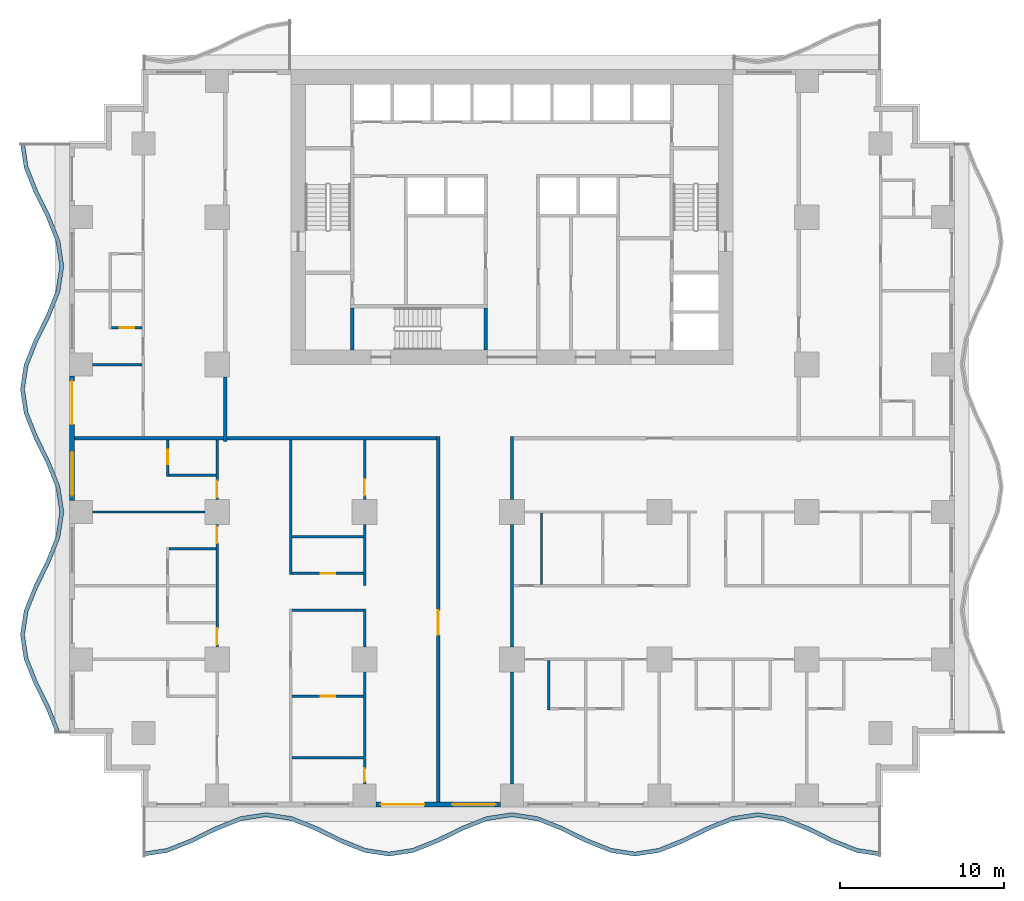
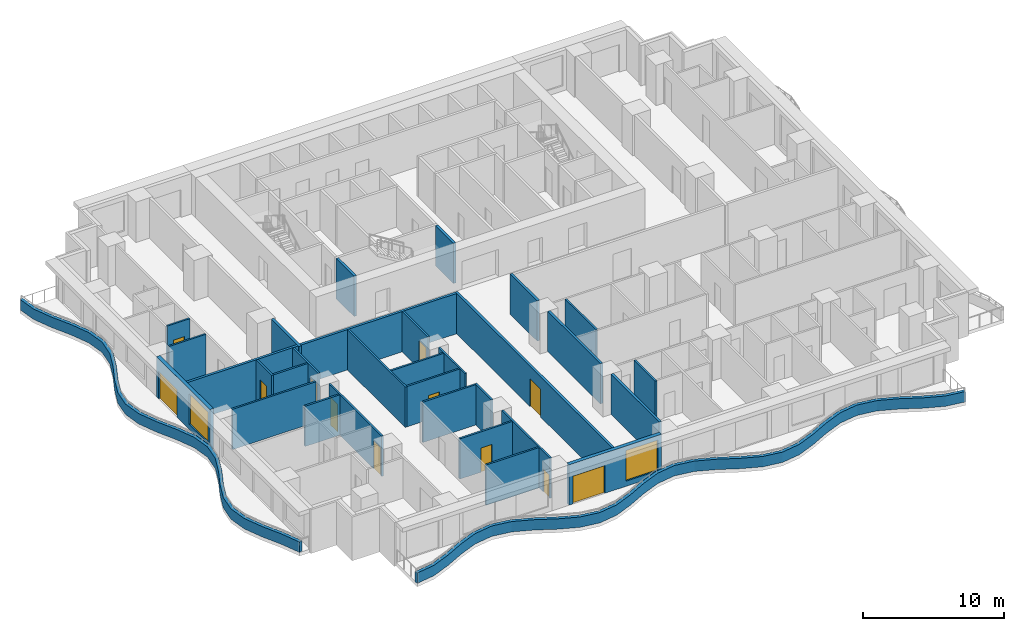
# One storey, part 2 of 13: 33 walls, 12 doors, 2 windows, 14 openings.
"""IFC4 building model written with IfcOpenShell, lengths in metres."""

from ifc_helpers import new_model, si_unit, direction, frame, frame_2d, origin, place, context, subcontext, project, spatial, polyline, rectangle, outline, extrude, material, layer, layer_set, type_object, element, fill, save


model = new_model("IFC4")

# Units and contexts
model_context = context("Model", 3, precision=1e-05, world=origin(), true_north=direction((0.0, 1.0)))
body_context = subcontext(model_context, "Body", "Model", "MODEL_VIEW")
ifc_project = project(units=[si_unit("LENGTHUNIT", "METRE"), si_unit("AREAUNIT", "SQUARE_METRE"), si_unit("VOLUMEUNIT", "CUBIC_METRE"), si_unit("PLANEANGLEUNIT", "RADIAN"), si_unit("MASSUNIT", "GRAM", prefix="KILO")], contexts=[model_context])

# Site, building, storey
site_placement = place(None, origin())
site = spatial("IfcSite", under=ifc_project, at=site_placement, CompositionType="ELEMENT")
building_placement = place(site_placement, origin())
building = spatial("IfcBuilding", under=site, at=building_placement, Name="Orbiselva Terraces", CompositionType="ELEMENT")
storey_placement = place(building_placement, frame((0.0, 0.0, 53.0)))
storey = spatial("IfcBuildingStorey", under=building, at=storey_placement, Name="L13", CompositionType="ELEMENT", Elevation=53.0)

# Walls
ifc_material_1 = material(Name="Concrete C60/75", Category="concrete")
ifc_layer_1 = layer(ifc_material_1, 0.2)
ifc_layer_set_1 = layer_set([ifc_layer_1], Name="Concrete C60/75")
wall_type_1 = type_object("IfcWallType", Name="CORE-WALL-SHEAR-200", PredefinedType="SHEAR", material=ifc_layer_set_1)
for number, where, z_axis, x_axis, name in (
    (1, (-9.75, 5.4, 0.0), (0.0, 0.0, 1.0), (0.0, 1.0, 0.0), "L13 core wall 03"),
    (2, (-1.6, 5.4, 0.0), (0.0, 0.0, 1.0), (0.0, 1.0, 0.0), "L13 core wall 19"),
):
    element("IfcWall", number, at=place(storey_placement, frame(where, z_axis=z_axis, x_axis=x_axis)), inside=storey, type_object=wall_type_1, Name=name, PredefinedType="SHEAR", context=body_context, shape_type="SweptSolid", body=[
        extrude(rectangle(XDim=2.55, YDim=0.2, at=frame_2d((1.275, 0.0))), origin(), (0.0, 0.0, 1.0), 3.5),
    ])
ifc_material_2 = material(Name="Concrete C40/50", Category="concrete")
ifc_layer_2 = layer(ifc_material_2, 0.25)
ifc_layer_set_2 = layer_set([ifc_layer_2], Name="Concrete C40/50")
wall_type_2 = type_object("IfcWallType", Name="ENV-PLANTER-250x900", PredefinedType="USERDEFINED", material=ifc_layer_set_2)
wall_1_placement = place(storey_placement, origin())
element("IfcWall", 3, at=wall_1_placement, inside=storey, type_object=wall_type_2, Name="Balcony planter L13 S", ObjectType="PLANTER", PredefinedType="USERDEFINED", context=body_context, shape_type="SweptSolid", body=[
    extrude(outline(polyline([(-22.5, -25.5), (-21.0, -25.27082), (-19.5, -24.67082), (-18.0, -23.92918), (-16.5, -23.32918), (-15.0, -23.1), (-13.5, -23.32918), (-12.0, -23.92918), (-10.5, -24.67082), (-9.0, -25.27082), (-7.5, -25.5), (-6.0, -25.27082), (-4.5, -24.67082), (-3.0, -23.92918), (-1.5, -23.32918), (0.0, -23.1), (1.5, -23.32918), (3.0, -23.92918), (4.5, -24.67082), (6.0, -25.27082), (7.5, -25.5), (9.0, -25.27082), (10.5, -24.67082), (12.0, -23.92918), (13.5, -23.32918), (15.0, -23.1), (16.5, -23.32918), (18.0, -23.92918), (19.5, -24.67082), (21.0, -25.27082), (22.5, -25.5), (22.537758, -25.252868), (21.066166, -25.028028), (19.601983, -24.442355), (18.101983, -23.700715), (16.566166, -23.086388), (15.0, -22.847099), (13.433834, -23.086388), (11.898017, -23.700715), (10.398017, -24.442355), (8.933834, -25.028028), (7.5, -25.247099), (6.066166, -25.028028), (4.601983, -24.442355), (3.101983, -23.700715), (1.566166, -23.086388), (0.0, -22.847099), (-1.566166, -23.086388), (-3.101983, -23.700715), (-4.601983, -24.442355), (-6.066166, -25.028028), (-7.5, -25.247099), (-8.933834, -25.028028), (-10.398017, -24.442355), (-11.898017, -23.700715), (-13.433834, -23.086388), (-15.0, -22.847099), (-16.566166, -23.086388), (-18.101983, -23.700715), (-19.601983, -24.442355), (-21.066166, -25.028028), (-22.537758, -25.252868), (-22.5, -25.5)])), origin(), (0.0, 0.0, 1.0), 0.9),
])
wall_2_placement = place(storey_placement, origin())
element("IfcWall", 4, at=wall_2_placement, inside=storey, type_object=wall_type_2, Name="Balcony planter L13 W", ObjectType="PLANTER", PredefinedType="USERDEFINED", context=body_context, shape_type="SweptSolid", body=[
    extrude(outline(polyline([(-30.0, 18.0), (-29.77082, 16.5), (-29.17082, 15.0), (-28.42918, 13.5), (-27.82918, 12.0), (-27.6, 10.5), (-27.82918, 9.0), (-28.42918, 7.5), (-29.17082, 6.0), (-29.77082, 4.5), (-30.0, 3.0), (-29.77082, 1.5), (-29.17082, 0.0), (-28.42918, -1.5), (-27.82918, -3.0), (-27.6, -4.5), (-27.82918, -6.0), (-28.42918, -7.5), (-29.17082, -9.0), (-29.77082, -10.5), (-30.0, -12.0), (-29.77082, -13.5), (-29.17082, -15.0), (-28.42918, -16.5), (-27.82918, -18.0), (-27.597061, -17.907152), (-28.200715, -16.398017), (-28.942355, -14.898017), (-29.528028, -13.433834), (-29.747099, -12.0), (-29.528028, -10.566166), (-28.942355, -9.101983), (-28.200715, -7.601983), (-27.586388, -6.066166), (-27.347099, -4.5), (-27.586388, -2.933834), (-28.200715, -1.398017), (-28.942355, 0.101983), (-29.528028, 1.566166), (-29.747099, 3.0), (-29.528028, 4.433834), (-28.942355, 5.898017), (-28.200715, 7.398017), (-27.586388, 8.933834), (-27.347099, 10.5), (-27.586388, 12.066166), (-28.200715, 13.601983), (-28.942355, 15.101983), (-29.528028, 16.566166), (-29.752868, 18.037758), (-30.0, 18.0)])), origin(), (0.0, 0.0, 1.0), 0.9),
])

# Wall, openings, door, window
ifc_material_3 = material(Name="Terracotta cladding on masonry backing", Category="masonry")
ifc_layer_3 = layer(ifc_material_3, 0.3)
ifc_layer_set_3 = layer_set([ifc_layer_3], Name="Terracotta cladding on masonry backing")
wall_type_3 = type_object("IfcWallType", Name="ENV-WALL-TERRACOTTA-300", PredefinedType="SOLIDWALL", material=ifc_layer_set_3)
wall_3_placement = place(storey_placement, frame((-0.7, -22.35, 0.0), z_axis=(0.0, 0.0, 1.0), x_axis=(-1.0, 0.0, 0.0)))
wall_3 = element("IfcWall", 5, at=wall_3_placement, inside=storey, type_object=wall_type_3, Name="Facade wall L13 S", PredefinedType="SOLIDWALL", context=body_context, shape_type="SweptSolid", body=[
    extrude(rectangle(XDim=7.6, YDim=0.3, at=frame_2d((3.8, 0.0))), origin(), (0.0, 0.0, 1.0), 3.5),
])
opening_1_placement = place(wall_3_placement, frame((4.65, 0.0, 0.0)))
opening_1 = element("IfcOpeningElement", 6, at=opening_1_placement, cuts=wall_3, Name="Opening Z1-D-E02", PredefinedType="OPENING", context=body_context, shape_type="SweptSolid", body=[
    extrude(rectangle(XDim=2.65, YDim=2.4, at=frame_2d((1.325, 1.2))), frame((0.0, 0.16, 0.0), z_axis=(0.0, -1.0, 0.0), x_axis=(1.0, 0.0, 0.0)), (0.0, 0.0, 1.0), 0.32),
])
opening_2_placement = place(wall_3_placement, frame((0.3, 0.0, 0.45)))
opening_2 = element("IfcOpeningElement", 7, at=opening_2_placement, cuts=wall_3, Name="Opening WN3", PredefinedType="OPENING", context=body_context, shape_type="SweptSolid", body=[
    extrude(rectangle(XDim=2.65, YDim=2.65, at=frame_2d((1.325, 1.325))), frame((0.0, 0.16, 0.0), z_axis=(0.0, -1.0, 0.0), x_axis=(1.0, 0.0, 0.0)), (0.0, 0.0, 1.0), 0.32),
])
ifc_material_4 = material(Name="Clear low-e glazing in aluminium frame", Category="aluminium")
door_type_1 = type_object("IfcDoorType", Name="BALCONY DOOR 2650 X 2400", OperationType="DOUBLE_DOOR_SLIDING", PredefinedType="DOOR", material=ifc_material_4)
door_1_placement = place(opening_1_placement, origin())
door_1 = element("IfcDoor", 8, at=door_1_placement, inside=storey, type_object=door_type_1, Name="Z1-D-E02", OperationType="SINGLE_SWING_LEFT", OverallHeight=2.4, OverallWidth=2.65, PredefinedType="DOOR", context=body_context, shape_type="SweptSolid", body=[
    extrude(rectangle(XDim=2.65, YDim=2.4, at=frame_2d((1.325, 1.2))), frame((0.0, 0.025, 0.0), z_axis=(0.0, -1.0, 0.0), x_axis=(1.0, 0.0, 0.0)), (0.0, 0.0, 1.0), 0.05),
])
fill(opening_1, door_1)
window_type = type_object("IfcWindowType", Name="WINDOW 2650 X 2650 S450", PartitioningType="TRIPLE_PANEL_VERTICAL", PredefinedType="WINDOW", material=ifc_material_4)
window_1_placement = place(opening_2_placement, origin())
window_1 = element("IfcWindow", 9, at=window_1_placement, inside=storey, type_object=window_type, Name="Window L13 S", OverallHeight=2.65, OverallWidth=2.65, PartitioningType="SINGLE_PANEL", PredefinedType="WINDOW", context=body_context, shape_type="SweptSolid", body=[
    extrude(rectangle(XDim=2.65, YDim=2.65, at=frame_2d((1.325, 1.325))), frame((0.0, 0.03, 0.0), z_axis=(0.0, -1.0, 0.0), x_axis=(1.0, 0.0, 0.0)), (0.0, 0.0, 1.0), 0.06),
])
fill(opening_2, window_1)

wall_4_placement = place(storey_placement, frame((-26.85, -3.8, 0.0), z_axis=(0.0, 0.0, 1.0), x_axis=(0.0, 1.0, 0.0)))
wall_4 = element("IfcWall", 10, at=wall_4_placement, inside=storey, type_object=wall_type_3, Name="Facade wall L13 W", PredefinedType="SOLIDWALL", context=body_context, shape_type="SweptSolid", body=[
    extrude(rectangle(XDim=7.6, YDim=0.3, at=frame_2d((3.8, 0.0))), origin(), (0.0, 0.0, 1.0), 3.5),
])
opening_3_placement = place(wall_4_placement, frame((4.65, 0.0, 0.0)))
opening_3 = element("IfcOpeningElement", 11, at=opening_3_placement, cuts=wall_4, Name="Opening Z1-D-E12", PredefinedType="OPENING", context=body_context, shape_type="SweptSolid", body=[
    extrude(rectangle(XDim=2.65, YDim=2.4, at=frame_2d((1.325, 1.2))), frame((0.0, 0.16, 0.0), z_axis=(0.0, -1.0, 0.0), x_axis=(1.0, 0.0, 0.0)), (0.0, 0.0, 1.0), 0.32),
])
opening_4_placement = place(wall_4_placement, frame((0.3, 0.0, 0.45)))
opening_4 = element("IfcOpeningElement", 12, at=opening_4_placement, cuts=wall_4, Name="Opening WN3", PredefinedType="OPENING", context=body_context, shape_type="SweptSolid", body=[
    extrude(rectangle(XDim=2.65, YDim=2.65, at=frame_2d((1.325, 1.325))), frame((0.0, 0.16, 0.0), z_axis=(0.0, -1.0, 0.0), x_axis=(1.0, 0.0, 0.0)), (0.0, 0.0, 1.0), 0.32),
])
door_2_placement = place(opening_3_placement, origin())
door_2 = element("IfcDoor", 13, at=door_2_placement, inside=storey, type_object=door_type_1, Name="Z1-D-E12", OperationType="SINGLE_SWING_LEFT", OverallHeight=2.4, OverallWidth=2.65, PredefinedType="DOOR", context=body_context, shape_type="SweptSolid", body=[
    extrude(rectangle(XDim=2.65, YDim=2.4, at=frame_2d((1.325, 1.2))), frame((0.0, 0.025, 0.0), z_axis=(0.0, -1.0, 0.0), x_axis=(1.0, 0.0, 0.0)), (0.0, 0.0, 1.0), 0.05),
])
fill(opening_3, door_2)
window_2_placement = place(opening_4_placement, origin())
window_2 = element("IfcWindow", 14, at=window_2_placement, inside=storey, type_object=window_type, Name="Window L13 W", OverallHeight=2.65, OverallWidth=2.65, PartitioningType="SINGLE_PANEL", PredefinedType="WINDOW", context=body_context, shape_type="SweptSolid", body=[
    extrude(rectangle(XDim=2.65, YDim=2.65, at=frame_2d((1.325, 1.325))), frame((0.0, 0.03, 0.0), z_axis=(0.0, -1.0, 0.0), x_axis=(1.0, 0.0, 0.0)), (0.0, 0.0, 1.0), 0.06),
])
fill(opening_4, window_2)

# Walls
ifc_material_5 = material(Name="Plasterboard on steel stud partition", Category="steel")
ifc_layer_4 = layer(ifc_material_5, 0.2)
ifc_layer_set_4 = layer_set([ifc_layer_4], Name="Plasterboard on steel stud partition")
wall_type_4 = type_object("IfcWallType", Name="UNIT-ENTRANCE-WALL-200", PredefinedType="PARTITIONING", material=ifc_layer_set_4)
wall_5_placement = place(storey_placement, frame((-17.4, 0.0, 0.0), z_axis=(0.0, 0.0, 1.0), x_axis=(1.0, 0.0, 0.0)))
element("IfcWall", 15, at=wall_5_placement, inside=storey, type_object=wall_type_4, Name="PARTITION L13-028", PredefinedType="PARTITIONING", context=body_context, shape_type="SweptSolid", body=[
    extrude(rectangle(XDim=12.8, YDim=0.2, at=frame_2d((6.4, 0.0))), origin(), (0.0, 0.0, 1.0), 3.5),
])
wall_6_placement = place(storey_placement, frame((-17.5, -0.2, 0.0), z_axis=(0.0, 0.0, 1.0), x_axis=(0.0, 1.0, 0.0)))
element("IfcWall", 16, at=wall_6_placement, inside=storey, type_object=wall_type_4, Name="PARTITION L13-050", PredefinedType="PARTITIONING", context=body_context, shape_type="SweptSolid", body=[
    extrude(rectangle(XDim=3.95, YDim=0.2, at=frame_2d((1.975, 0.0))), origin(), (0.0, 0.0, 1.0), 3.5),
])

# Wall, opening, door
wall_7_placement = place(storey_placement, frame((-4.5, -22.2, 0.0), z_axis=(0.0, 0.0, 1.0), x_axis=(0.0, 1.0, 0.0)))
wall_7 = element("IfcWall", 17, at=wall_7_placement, inside=storey, type_object=wall_type_4, Name="PARTITION L13-059", PredefinedType="PARTITIONING", context=body_context, shape_type="SweptSolid", body=[
    extrude(rectangle(XDim=22.3, YDim=0.2, at=frame_2d((11.15, 0.0))), origin(), (0.0, 0.0, 1.0), 3.5),
])
opening_5_placement = place(wall_7_placement, frame((10.2, 0.0, 0.0)))
opening_5 = element("IfcOpeningElement", 18, at=opening_5_placement, cuts=wall_7, Name="Opening Z1-D-13", PredefinedType="OPENING", context=body_context, shape_type="SweptSolid", body=[
    extrude(rectangle(XDim=1.5, YDim=2.4, at=frame_2d((0.75, 1.2))), frame((0.0, 0.11, 0.0), z_axis=(0.0, -1.0, 0.0), x_axis=(1.0, 0.0, 0.0)), (0.0, 0.0, 1.0), 0.22),
])
ifc_material_6 = material(Name="Painted timber door leaf", Category="wood")
door_type_2 = type_object("IfcDoorType", Name="ENTRANCE DOUBLE DOOR 1500", OperationType="NOTDEFINED", PredefinedType="DOOR", material=ifc_material_6)
door_3_placement = place(opening_5_placement, origin())
door_3 = element("IfcDoor", 19, at=door_3_placement, inside=storey, type_object=door_type_2, Name="Z1-D-13", OperationType="DOUBLE_DOOR_SINGLE_SWING", OverallHeight=2.4, OverallWidth=1.5, PredefinedType="DOOR", context=body_context, shape_type="SweptSolid", body=[
    extrude(rectangle(XDim=1.5, YDim=2.4, at=frame_2d((0.75, 1.2))), frame((0.0, 0.025, 0.0), z_axis=(0.0, -1.0, 0.0), x_axis=(1.0, 0.0, 0.0)), (0.0, 0.0, 1.0), 0.05),
])
fill(opening_5, door_3)

# Walls
wall_8_placement = place(storey_placement, frame((0.0, -21.1, 0.0), z_axis=(0.0, 0.0, 1.0), x_axis=(0.0, 1.0, 0.0)))
element("IfcWall", 20, at=wall_8_placement, inside=storey, type_object=wall_type_4, Name="PARTITION L13-060", PredefinedType="PARTITIONING", context=body_context, shape_type="SweptSolid", body=[
    extrude(rectangle(XDim=6.85, YDim=0.2, at=frame_2d((3.425, 0.0))), origin(), (0.0, 0.0, 1.0), 3.5),
])
wall_9_placement = place(storey_placement, frame((0.0, -12.75, 0.0), z_axis=(0.0, 0.0, 1.0), x_axis=(0.0, 1.0, 0.0)))
element("IfcWall", 21, at=wall_9_placement, inside=storey, type_object=wall_type_4, Name="PARTITION L13-061", PredefinedType="PARTITIONING", context=body_context, shape_type="SweptSolid", body=[
    extrude(rectangle(XDim=7.5, YDim=0.2, at=frame_2d((3.75, 0.0))), origin(), (0.0, 0.0, 1.0), 3.5),
])
wall_10_placement = place(storey_placement, frame((0.0, -3.75, 0.0), z_axis=(0.0, 0.0, 1.0), x_axis=(0.0, 1.0, 0.0)))
element("IfcWall", 22, at=wall_10_placement, inside=storey, type_object=wall_type_4, Name="PARTITION L13-062", PredefinedType="PARTITIONING", context=body_context, shape_type="SweptSolid", body=[
    extrude(rectangle(XDim=3.85, YDim=0.2, at=frame_2d((1.925, 0.0))), origin(), (0.0, 0.0, 1.0), 3.5),
])
ifc_layer_5 = layer(ifc_material_5, 0.15)
ifc_layer_set_5 = layer_set([ifc_layer_5], Name="Plasterboard on steel stud partition")
wall_type_5 = type_object("IfcWallType", Name="UNIT-PARTITION-150", PredefinedType="PARTITIONING", material=ifc_layer_set_5)
wall_11_placement = place(storey_placement, frame((-13.425, -19.5, 0.0), z_axis=(0.0, 0.0, 1.0), x_axis=(1.0, 0.0, 0.0)))
element("IfcWall", 23, at=wall_11_placement, inside=storey, type_object=wall_type_5, Name="PARTITION L13-001", PredefinedType="PARTITIONING", context=body_context, shape_type="SweptSolid", body=[
    extrude(rectangle(XDim=4.35, YDim=0.15, at=frame_2d((2.175, 0.0))), origin(), (0.0, 0.0, 1.0), 3.5),
])

# Wall, opening, door
wall_12_placement = place(storey_placement, frame((-9.075, -15.75, 0.0), z_axis=(0.0, 0.0, 1.0), x_axis=(-1.0, 0.0, 0.0)))
wall_12 = element("IfcWall", 24, at=wall_12_placement, inside=storey, type_object=wall_type_5, Name="PARTITION L13-008", PredefinedType="PARTITIONING", context=body_context, shape_type="SweptSolid", body=[
    extrude(rectangle(XDim=4.35, YDim=0.15, at=frame_2d((2.175, 0.0))), origin(), (0.0, 0.0, 1.0), 3.5),
])
opening_6_placement = place(wall_12_placement, frame((1.7, 0.0, 0.0)))
opening_6 = element("IfcOpeningElement", 25, at=opening_6_placement, cuts=wall_12, Name="Opening Z1-D-17", PredefinedType="OPENING", context=body_context, shape_type="SweptSolid", body=[
    extrude(rectangle(XDim=0.9, YDim=2.1, at=frame_2d((0.45, 1.05))), frame((0.0, 0.085, 0.0), z_axis=(0.0, -1.0, 0.0), x_axis=(1.0, 0.0, 0.0)), (0.0, 0.0, 1.0), 0.17),
])
door_type_3 = type_object("IfcDoorType", Name="BATH DOOR 900", OperationType="NOTDEFINED", PredefinedType="DOOR", material=ifc_material_6)
door_4_placement = place(opening_6_placement, origin())
door_4 = element("IfcDoor", 26, at=door_4_placement, inside=storey, type_object=door_type_3, Name="Z1-D-17", OperationType="SINGLE_SWING_LEFT", OverallHeight=2.1, OverallWidth=0.9, PredefinedType="DOOR", context=body_context, shape_type="SweptSolid", body=[
    extrude(rectangle(XDim=0.9, YDim=2.1, at=frame_2d((0.45, 1.05))), frame((0.0, 0.025, 0.0), z_axis=(0.0, -1.0, 0.0), x_axis=(1.0, 0.0, 0.0)), (0.0, 0.0, 1.0), 0.05),
])
fill(opening_6, door_4)

# Wall
wall_13_placement = place(storey_placement, frame((-13.425, -10.5, 0.0), z_axis=(0.0, 0.0, 1.0), x_axis=(1.0, 0.0, 0.0)))
element("IfcWall", 27, at=wall_13_placement, inside=storey, type_object=wall_type_5, Name="PARTITION L13-014", PredefinedType="PARTITIONING", context=body_context, shape_type="SweptSolid", body=[
    extrude(rectangle(XDim=4.35, YDim=0.15, at=frame_2d((2.175, 0.0))), origin(), (0.0, 0.0, 1.0), 3.5),
])

# Wall, opening, door
wall_14_placement = place(storey_placement, frame((-13.425, -8.25, 0.0), z_axis=(0.0, 0.0, 1.0), x_axis=(1.0, 0.0, 0.0)))
wall_14 = element("IfcWall", 28, at=wall_14_placement, inside=storey, type_object=wall_type_5, Name="PARTITION L13-019", PredefinedType="PARTITIONING", context=body_context, shape_type="SweptSolid", body=[
    extrude(rectangle(XDim=4.35, YDim=0.15, at=frame_2d((2.175, 0.0))), origin(), (0.0, 0.0, 1.0), 3.5),
])
opening_7_placement = place(wall_14_placement, frame((1.75, 0.0, 0.0)))
opening_7 = element("IfcOpeningElement", 29, at=opening_7_placement, cuts=wall_14, Name="Opening Z1-D-15", PredefinedType="OPENING", context=body_context, shape_type="SweptSolid", body=[
    extrude(rectangle(XDim=0.9, YDim=2.1, at=frame_2d((0.45, 1.05))), frame((0.0, 0.085, 0.0), z_axis=(0.0, -1.0, 0.0), x_axis=(1.0, 0.0, 0.0)), (0.0, 0.0, 1.0), 0.17),
])
door_5_placement = place(opening_7_placement, origin())
door_5 = element("IfcDoor", 30, at=door_5_placement, inside=storey, type_object=door_type_3, Name="Z1-D-15", OperationType="SINGLE_SWING_RIGHT", OverallHeight=2.1, OverallWidth=0.9, PredefinedType="DOOR", context=body_context, shape_type="SweptSolid", body=[
    extrude(rectangle(XDim=0.9, YDim=2.1, at=frame_2d((0.45, 1.05))), frame((0.0, 0.025, 0.0), z_axis=(0.0, -1.0, 0.0), x_axis=(1.0, 0.0, 0.0)), (0.0, 0.0, 1.0), 0.05),
])
fill(opening_7, door_5)

# Walls
wall_15_placement = place(storey_placement, frame((-20.925, -6.75, 0.0), z_axis=(0.0, 0.0, 1.0), x_axis=(1.0, 0.0, 0.0)))
element("IfcWall", 31, at=wall_15_placement, inside=storey, type_object=wall_type_5, Name="PARTITION L13-020", PredefinedType="PARTITIONING", context=body_context, shape_type="SweptSolid", body=[
    extrude(rectangle(XDim=2.85, YDim=0.15, at=frame_2d((1.425, 0.0))), origin(), (0.0, 0.0, 1.0), 3.5),
])
wall_16_placement = place(storey_placement, frame((-13.425, -6.0, 0.0), z_axis=(0.0, 0.0, 1.0), x_axis=(1.0, 0.0, 0.0)))
element("IfcWall", 32, at=wall_16_placement, inside=storey, type_object=wall_type_5, Name="PARTITION L13-021", PredefinedType="PARTITIONING", context=body_context, shape_type="SweptSolid", body=[
    extrude(rectangle(XDim=4.35, YDim=0.15, at=frame_2d((2.175, 0.0))), origin(), (0.0, 0.0, 1.0), 3.5),
])
wall_17_placement = place(storey_placement, frame((-25.6, -4.5, 0.0), z_axis=(0.0, 0.0, 1.0), x_axis=(1.0, 0.0, 0.0)))
element("IfcWall", 33, at=wall_17_placement, inside=storey, type_object=wall_type_5, Name="PARTITION L13-022", PredefinedType="PARTITIONING", context=body_context, shape_type="SweptSolid", body=[
    extrude(rectangle(XDim=6.85, YDim=0.15, at=frame_2d((3.425, 0.0))), origin(), (0.0, 0.0, 1.0), 3.5),
])
wall_18_placement = place(storey_placement, frame((-20.925, -2.25, 0.0), z_axis=(0.0, 0.0, 1.0), x_axis=(1.0, 0.0, 0.0)))
element("IfcWall", 34, at=wall_18_placement, inside=storey, type_object=wall_type_5, Name="PARTITION L13-027", PredefinedType="PARTITIONING", context=body_context, shape_type="SweptSolid", body=[
    extrude(rectangle(XDim=2.85, YDim=0.15, at=frame_2d((1.425, 0.0))), origin(), (0.0, 0.0, 1.0), 3.5),
])
wall_19_placement = place(storey_placement, frame((-25.6, 4.5, 0.0), z_axis=(0.0, 0.0, 1.0), x_axis=(1.0, 0.0, 0.0)))
element("IfcWall", 35, at=wall_19_placement, inside=storey, type_object=wall_type_5, Name="PARTITION L13-033", PredefinedType="PARTITIONING", context=body_context, shape_type="SweptSolid", body=[
    extrude(rectangle(XDim=3.025, YDim=0.15, at=frame_2d((1.5125, 0.0))), origin(), (0.0, 0.0, 1.0), 3.5),
])

# Wall, opening, door
wall_20_placement = place(storey_placement, frame((-24.45, 6.75, 0.0), z_axis=(0.0, 0.0, 1.0), x_axis=(1.0, 0.0, 0.0)))
wall_20 = element("IfcWall", 36, at=wall_20_placement, inside=storey, type_object=wall_type_5, Name="PARTITION L13-034", PredefinedType="PARTITIONING", context=body_context, shape_type="SweptSolid", body=[
    extrude(rectangle(XDim=1.875, YDim=0.15, at=frame_2d((0.9375, 0.0))), origin(), (0.0, 0.0, 1.0), 3.5),
])
opening_8_placement = place(wall_20_placement, frame((0.5, 0.0, 0.0)))
opening_8 = element("IfcOpeningElement", 37, at=opening_8_placement, cuts=wall_20, Name="Opening Z1-D-04", PredefinedType="OPENING", context=body_context, shape_type="SweptSolid", body=[
    extrude(rectangle(XDim=0.9, YDim=2.1, at=frame_2d((0.45, 1.05))), frame((0.0, 0.085, 0.0), z_axis=(0.0, -1.0, 0.0), x_axis=(1.0, 0.0, 0.0)), (0.0, 0.0, 1.0), 0.17),
])
door_6_placement = place(opening_8_placement, origin())
door_6 = element("IfcDoor", 38, at=door_6_placement, inside=storey, type_object=door_type_3, Name="Z1-D-04", OperationType="SINGLE_SWING_RIGHT", OverallHeight=2.1, OverallWidth=0.9, PredefinedType="DOOR", context=body_context, shape_type="SweptSolid", body=[
    extrude(rectangle(XDim=0.9, YDim=2.1, at=frame_2d((0.45, 1.05))), frame((0.0, 0.025, 0.0), z_axis=(0.0, -1.0, 0.0), x_axis=(1.0, 0.0, 0.0)), (0.0, 0.0, 1.0), 0.05),
])
fill(opening_8, door_6)

wall_21_placement = place(storey_placement, frame((-21.0, -0.1, 0.0), z_axis=(0.0, 0.0, 1.0), x_axis=(0.0, -1.0, 0.0)))
wall_21 = element("IfcWall", 39, at=wall_21_placement, inside=storey, type_object=wall_type_5, Name="PARTITION L13-046", PredefinedType="PARTITIONING", context=body_context, shape_type="SweptSolid", body=[
    extrude(rectangle(XDim=2.225, YDim=0.15, at=frame_2d((1.1125, 0.0))), origin(), (0.0, 0.0, 1.0), 3.5),
])
opening_9_placement = place(wall_21_placement, frame((0.6, 0.0, 0.0)))
opening_9 = element("IfcOpeningElement", 40, at=opening_9_placement, cuts=wall_21, Name="Opening Z1-D-20", PredefinedType="OPENING", context=body_context, shape_type="SweptSolid", body=[
    extrude(rectangle(XDim=0.9, YDim=2.1, at=frame_2d((0.45, 1.05))), frame((0.0, 0.085, 0.0), z_axis=(0.0, -1.0, 0.0), x_axis=(1.0, 0.0, 0.0)), (0.0, 0.0, 1.0), 0.17),
])
door_7_placement = place(opening_9_placement, origin())
door_7 = element("IfcDoor", 41, at=door_7_placement, inside=storey, type_object=door_type_3, Name="Z1-D-20", OperationType="SINGLE_SWING_LEFT", OverallHeight=2.1, OverallWidth=0.9, PredefinedType="DOOR", context=body_context, shape_type="SweptSolid", body=[
    extrude(rectangle(XDim=0.9, YDim=2.1, at=frame_2d((0.45, 1.05))), frame((0.0, 0.025, 0.0), z_axis=(0.0, -1.0, 0.0), x_axis=(1.0, 0.0, 0.0)), (0.0, 0.0, 1.0), 0.05),
])
fill(opening_9, door_7)

# Wall, openings, doors
wall_22_placement = place(storey_placement, frame((-18.0, -12.75, 0.0), z_axis=(0.0, 0.0, 1.0), x_axis=(0.0, 1.0, 0.0)))
wall_22 = element("IfcWall", 42, at=wall_22_placement, inside=storey, type_object=wall_type_5, Name="PARTITION L13-048", PredefinedType="PARTITIONING", context=body_context, shape_type="SweptSolid", body=[
    extrude(rectangle(XDim=7.5, YDim=0.15, at=frame_2d((3.75, 0.0))), origin(), (0.0, 0.0, 1.0), 3.5),
])
opening_10_placement = place(wall_22_placement, frame((6.35, 0.0, 0.0)))
opening_10 = element("IfcOpeningElement", 43, at=opening_10_placement, cuts=wall_22, Name="Opening Z1-D-21", PredefinedType="OPENING", context=body_context, shape_type="SweptSolid", body=[
    extrude(rectangle(XDim=1.0, YDim=2.4, at=frame_2d((0.5, 1.2))), frame((0.0, 0.085, 0.0), z_axis=(0.0, -1.0, 0.0), x_axis=(1.0, 0.0, 0.0)), (0.0, 0.0, 1.0), 0.17),
])
opening_11_placement = place(wall_22_placement, frame((0.15, 0.0, 0.0)))
opening_11 = element("IfcOpeningElement", 44, at=opening_11_placement, cuts=wall_22, Name="Opening Z1-D-23", PredefinedType="OPENING", context=body_context, shape_type="SweptSolid", body=[
    extrude(rectangle(XDim=1.0, YDim=2.4, at=frame_2d((0.5, 1.2))), frame((0.0, 0.085, 0.0), z_axis=(0.0, -1.0, 0.0), x_axis=(1.0, 0.0, 0.0)), (0.0, 0.0, 1.0), 0.17),
])
door_type_4 = type_object("IfcDoorType", Name="ROOM DOOR 1000", OperationType="NOTDEFINED", PredefinedType="DOOR", material=ifc_material_6)
door_8_placement = place(opening_10_placement, origin())
door_8 = element("IfcDoor", 45, at=door_8_placement, inside=storey, type_object=door_type_4, Name="Z1-D-21", OperationType="SINGLE_SWING_RIGHT", OverallHeight=2.4, OverallWidth=1.0, PredefinedType="DOOR", context=body_context, shape_type="SweptSolid", body=[
    extrude(rectangle(XDim=1.0, YDim=2.4, at=frame_2d((0.5, 1.2))), frame((0.0, 0.025, 0.0), z_axis=(0.0, -1.0, 0.0), x_axis=(1.0, 0.0, 0.0)), (0.0, 0.0, 1.0), 0.05),
])
fill(opening_10, door_8)
door_9_placement = place(opening_11_placement, origin())
door_9 = element("IfcDoor", 46, at=door_9_placement, inside=storey, type_object=door_type_4, Name="Z1-D-23", OperationType="SINGLE_SWING_LEFT", OverallHeight=2.4, OverallWidth=1.0, PredefinedType="DOOR", context=body_context, shape_type="SweptSolid", body=[
    extrude(rectangle(XDim=1.0, YDim=2.4, at=frame_2d((0.5, 1.2))), frame((0.0, 0.025, 0.0), z_axis=(0.0, -1.0, 0.0), x_axis=(1.0, 0.0, 0.0)), (0.0, 0.0, 1.0), 0.05),
])
fill(opening_11, door_9)

# Wall, opening, door
wall_23_placement = place(storey_placement, frame((-18.0, -3.75, 0.0), z_axis=(0.0, 0.0, 1.0), x_axis=(0.0, 1.0, 0.0)))
wall_23 = element("IfcWall", 47, at=wall_23_placement, inside=storey, type_object=wall_type_5, Name="PARTITION L13-049", PredefinedType="PARTITIONING", context=body_context, shape_type="SweptSolid", body=[
    extrude(rectangle(XDim=3.65, YDim=0.15, at=frame_2d((1.825, 0.0))), origin(), (0.0, 0.0, 1.0), 3.5),
])
opening_12_placement = place(wall_23_placement, frame((0.15, 0.0, 0.0)))
opening_12 = element("IfcOpeningElement", 48, at=opening_12_placement, cuts=wall_23, Name="Opening Z1-D-19", PredefinedType="OPENING", context=body_context, shape_type="SweptSolid", body=[
    extrude(rectangle(XDim=1.0, YDim=2.4, at=frame_2d((0.5, 1.2))), frame((0.0, 0.085, 0.0), z_axis=(0.0, -1.0, 0.0), x_axis=(1.0, 0.0, 0.0)), (0.0, 0.0, 1.0), 0.17),
])
door_10_placement = place(opening_12_placement, origin())
door_10 = element("IfcDoor", 49, at=door_10_placement, inside=storey, type_object=door_type_4, Name="Z1-D-19", OperationType="SINGLE_SWING_LEFT", OverallHeight=2.4, OverallWidth=1.0, PredefinedType="DOOR", context=body_context, shape_type="SweptSolid", body=[
    extrude(rectangle(XDim=1.0, YDim=2.4, at=frame_2d((0.5, 1.2))), frame((0.0, 0.025, 0.0), z_axis=(0.0, -1.0, 0.0), x_axis=(1.0, 0.0, 0.0)), (0.0, 0.0, 1.0), 0.05),
])
fill(opening_12, door_10)

# Wall
wall_24_placement = place(storey_placement, frame((-13.5, -8.325, 0.0), z_axis=(0.0, 0.0, 1.0), x_axis=(0.0, 1.0, 0.0)))
element("IfcWall", 50, at=wall_24_placement, inside=storey, type_object=wall_type_5, Name="PARTITION L13-054", PredefinedType="PARTITIONING", context=body_context, shape_type="SweptSolid", body=[
    extrude(rectangle(XDim=8.225, YDim=0.15, at=frame_2d((4.1125, 0.0))), origin(), (0.0, 0.0, 1.0), 3.5),
])

# Wall, opening, door
wall_25_placement = place(storey_placement, frame((-9.0, -21.1, 0.0), z_axis=(0.0, 0.0, 1.0), x_axis=(0.0, 1.0, 0.0)))
wall_25 = element("IfcWall", 51, at=wall_25_placement, inside=storey, type_object=wall_type_5, Name="PARTITION L13-055", PredefinedType="PARTITIONING", context=body_context, shape_type="SweptSolid", body=[
    extrude(rectangle(XDim=6.85, YDim=0.15, at=frame_2d((3.425, 0.0))), origin(), (0.0, 0.0, 1.0), 3.5),
])
opening_13_placement = place(wall_25_placement, frame((0.15, 0.0, 0.0)))
opening_13 = element("IfcOpeningElement", 52, at=opening_13_placement, cuts=wall_25, Name="Opening Z1-D-18", PredefinedType="OPENING", context=body_context, shape_type="SweptSolid", body=[
    extrude(rectangle(XDim=0.8, YDim=2.0, at=frame_2d((0.4, 1.0))), frame((0.0, 0.085, 0.0), z_axis=(0.0, -1.0, 0.0), x_axis=(1.0, 0.0, 0.0)), (0.0, 0.0, 1.0), 0.17),
])
door_type_5 = type_object("IfcDoorType", Name="STORE DOOR 800", OperationType="NOTDEFINED", PredefinedType="DOOR", material=ifc_material_6)
door_11_placement = place(opening_13_placement, origin())
door_11 = element("IfcDoor", 53, at=door_11_placement, inside=storey, type_object=door_type_5, Name="Z1-D-18", OperationType="SINGLE_SWING_LEFT", OverallHeight=2.0, OverallWidth=0.8, PredefinedType="DOOR", context=body_context, shape_type="SweptSolid", body=[
    extrude(rectangle(XDim=0.8, YDim=2.0, at=frame_2d((0.4, 1.0))), frame((0.0, 0.025, 0.0), z_axis=(0.0, -1.0, 0.0), x_axis=(1.0, 0.0, 0.0)), (0.0, 0.0, 1.0), 0.05),
])
fill(opening_13, door_11)

# Walls
wall_26_placement = place(storey_placement, frame((-9.0, -12.75, 0.0), z_axis=(0.0, 0.0, 1.0), x_axis=(0.0, 1.0, 0.0)))
element("IfcWall", 54, at=wall_26_placement, inside=storey, type_object=wall_type_5, Name="PARTITION L13-056", PredefinedType="PARTITIONING", context=body_context, shape_type="SweptSolid", body=[
    extrude(rectangle(XDim=2.325, YDim=0.15, at=frame_2d((1.1625, 0.0))), origin(), (0.0, 0.0, 1.0), 3.5),
])
wall_27_placement = place(storey_placement, frame((-9.0, -9.0, 0.0), z_axis=(0.0, 0.0, 1.0), x_axis=(0.0, 1.0, 0.0)))
element("IfcWall", 55, at=wall_27_placement, inside=storey, type_object=wall_type_5, Name="PARTITION L13-057", PredefinedType="PARTITIONING", context=body_context, shape_type="SweptSolid", body=[
    extrude(rectangle(XDim=3.75, YDim=0.15, at=frame_2d((1.875, 0.0))), origin(), (0.0, 0.0, 1.0), 3.5),
])

# Wall, opening, door
wall_28_placement = place(storey_placement, frame((-9.0, -3.75, 0.0), z_axis=(0.0, 0.0, 1.0), x_axis=(0.0, 1.0, 0.0)))
wall_28 = element("IfcWall", 56, at=wall_28_placement, inside=storey, type_object=wall_type_5, Name="PARTITION L13-058", PredefinedType="PARTITIONING", context=body_context, shape_type="SweptSolid", body=[
    extrude(rectangle(XDim=3.65, YDim=0.15, at=frame_2d((1.825, 0.0))), origin(), (0.0, 0.0, 1.0), 3.5),
])
opening_14_placement = place(wall_28_placement, frame((0.25, 0.0, 0.0)))
opening_14 = element("IfcOpeningElement", 57, at=opening_14_placement, cuts=wall_28, Name="Opening Z1-D-14", PredefinedType="OPENING", context=body_context, shape_type="SweptSolid", body=[
    extrude(rectangle(XDim=1.0, YDim=2.4, at=frame_2d((0.5, 1.2))), frame((0.0, 0.085, 0.0), z_axis=(0.0, -1.0, 0.0), x_axis=(1.0, 0.0, 0.0)), (0.0, 0.0, 1.0), 0.17),
])
door_12_placement = place(opening_14_placement, origin())
door_12 = element("IfcDoor", 58, at=door_12_placement, inside=storey, type_object=door_type_4, Name="Z1-D-14", OperationType="SINGLE_SWING_LEFT", OverallHeight=2.4, OverallWidth=1.0, PredefinedType="DOOR", context=body_context, shape_type="SweptSolid", body=[
    extrude(rectangle(XDim=1.0, YDim=2.4, at=frame_2d((0.5, 1.2))), frame((0.0, 0.025, 0.0), z_axis=(0.0, -1.0, 0.0), x_axis=(1.0, 0.0, 0.0)), (0.0, 0.0, 1.0), 0.05),
])
fill(opening_14, door_12)

# Walls
wall_29_placement = place(storey_placement, frame((1.8, -8.925, 0.0), z_axis=(0.0, 0.0, 1.0), x_axis=(0.0, 1.0, 0.0)))
element("IfcWall", 59, at=wall_29_placement, inside=storey, type_object=wall_type_5, Name="PARTITION L13-063", PredefinedType="PARTITIONING", context=body_context, shape_type="SweptSolid", body=[
    extrude(rectangle(XDim=4.35, YDim=0.15, at=frame_2d((2.175, 0.0))), origin(), (0.0, 0.0, 1.0), 3.5),
])
wall_30_placement = place(storey_placement, frame((2.25, -16.575, 0.0), z_axis=(0.0, 0.0, 1.0), x_axis=(0.0, 1.0, 0.0)))
element("IfcWall", 60, at=wall_30_placement, inside=storey, type_object=wall_type_5, Name="PARTITION L13-064", PredefinedType="PARTITIONING", context=body_context, shape_type="SweptSolid", body=[
    extrude(rectangle(XDim=3.0, YDim=0.15, at=frame_2d((1.5, 0.0))), origin(), (0.0, 0.0, 1.0), 3.5),
])
ifc_layer_6 = layer(ifc_material_5, 0.2)
ifc_layer_set_6 = layer_set([ifc_layer_6], Name="Plasterboard on steel stud partition")
wall_type_6 = type_object("IfcWallType", Name="UNIT-PARTY-WALL-200", PredefinedType="PARTITIONING", material=ifc_layer_set_6)
wall_31_placement = place(storey_placement, frame((-26.7, 0.0, 0.0), z_axis=(0.0, 0.0, 1.0), x_axis=(1.0, 0.0, 0.0)))
element("IfcWall", 61, at=wall_31_placement, inside=storey, type_object=wall_type_6, Name="PARTITION L13-030", PredefinedType="PARTITIONING", context=body_context, shape_type="SweptSolid", body=[
    extrude(rectangle(XDim=9.1, YDim=0.2, at=frame_2d((4.55, 0.0))), origin(), (0.0, 0.0, 1.0), 3.5),
])

save(model, "model.ifc")
